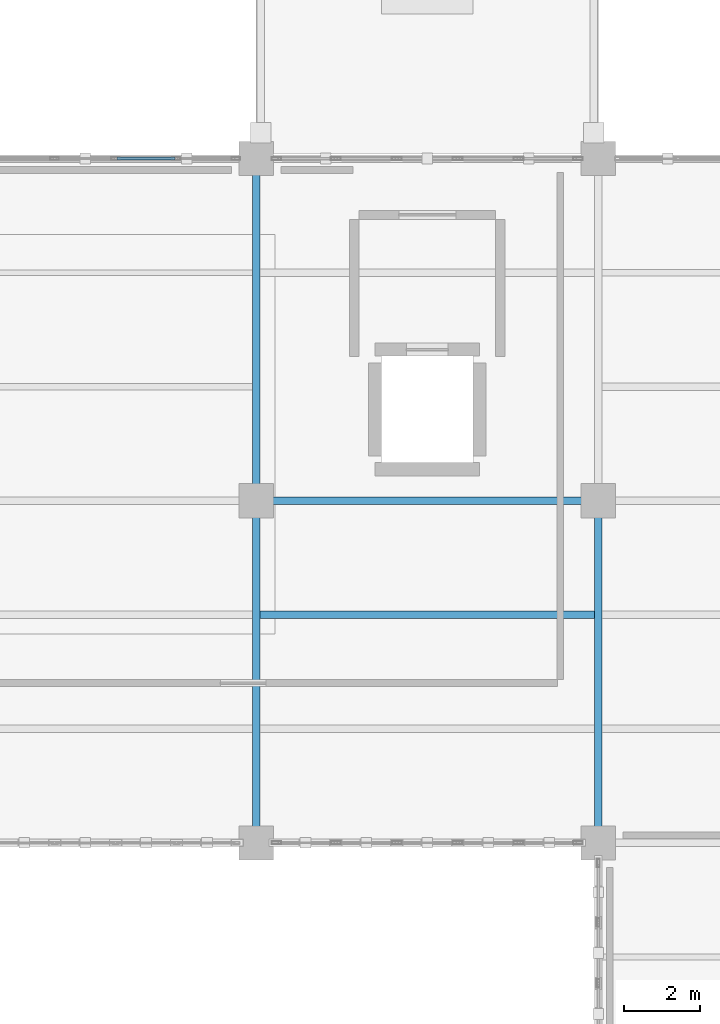
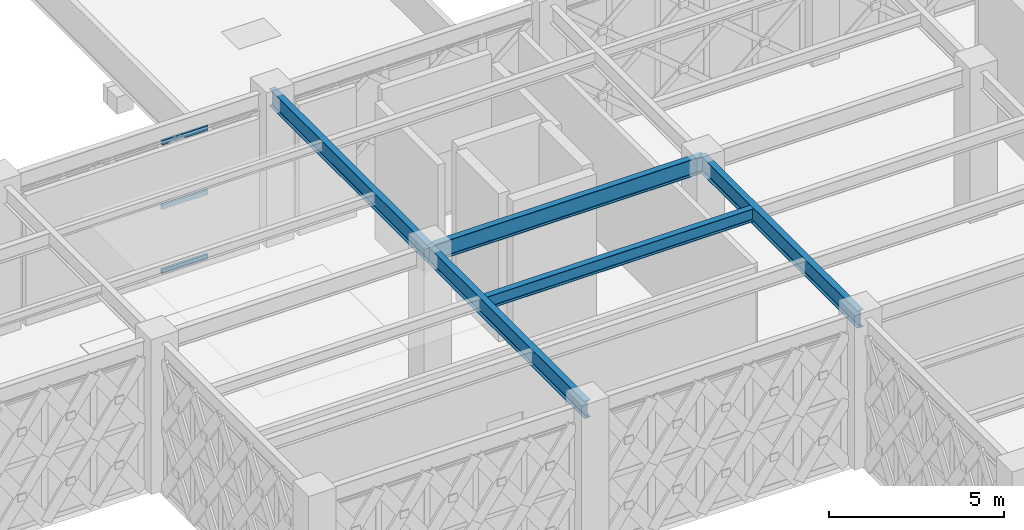
# One storey, part 23 of 155: 5 beams, 3 members, 1 element without a shape of its own.
"""IFC4 building model written with IfcOpenShell, lengths in metres."""

from ifc_helpers import new_model, si_unit, direction, frame, origin, origin_2d, place, context, subcontext, project, spatial, hollow_rectangle, i_section, extrude, material, material_profile, profile_set, type_object, element, aggregate, save


model = new_model("IFC4")

# Units and contexts
model_context = context("Model", 3, precision=1e-05, world=origin(), true_north=direction((0.0, 1.0)))
body_context = subcontext(model_context, "Body", "Model", "MODEL_VIEW")
ifc_project = project(units=[si_unit("LENGTHUNIT", "METRE"), si_unit("AREAUNIT", "SQUARE_METRE"), si_unit("VOLUMEUNIT", "CUBIC_METRE"), si_unit("PLANEANGLEUNIT", "RADIAN"), si_unit("MASSUNIT", "GRAM", prefix="KILO")], contexts=[model_context])

# Site, building, storey
site_placement = place(None, origin())
site = spatial("IfcSite", under=ifc_project, at=site_placement, CompositionType="ELEMENT")
building_placement = place(site_placement, origin())
building = spatial("IfcBuilding", under=site, at=building_placement, Name="Haizhuo Lancet Aquarium", CompositionType="ELEMENT")
storey_placement = place(building_placement, frame((0.0, 0.0, 10.800048828125)))
storey = spatial("IfcBuildingStorey", under=building, at=storey_placement, Name="L02", CompositionType="ELEMENT", Elevation=10.800048828125)

# Beams
ifc_material_1 = material(Name="Steel S355", Category="steel")
ifc_material_profile_1 = material_profile(ifc_material_1, i_section(OverallWidth=0.199951171875, OverallDepth=0.60009765625, WebThickness=0.010986328125, FlangeThickness=0.01708984375, FilletRadius=0.02197265625, at=origin_2d()), Name="HN 600x200x11x17")
ifc_profile_set_1 = profile_set([ifc_material_profile_1], Name="Steel S355")
beam_type_1 = type_object("IfcBeamType", Name="BM-ST-HN600", PredefinedType="BEAM", material=ifc_profile_set_1)
for number, where, z_axis, x_axis, name in (
    (1, (-63.0, -27.0, 4.85986328125), (0.0, 1.0, 0.0), (-1.0, 0.0, 0.0), "L02 V6 primary girder BM-L02-V6-009"),
    (2, (-63.0, -18.0, 4.85986328125), (0.0, 1.0, 0.0), (-1.0, 0.0, 0.0), "L02 V6 primary girder BM-L02-V6-011"),
    (3, (-63.0, -18.0, 4.85986328125), (1.0, 0.0, 0.0), (0.0, 1.0, 0.0), "L02 V6 primary girder BM-L02-V6-012"),
    (4, (-54.0, -27.0, 4.85986328125), (0.0, 1.0, 0.0), (-1.0, 0.0, 0.0), "L02 V6 primary girder BM-L02-V6-016"),
):
    element("IfcBeam", number, at=place(storey_placement, frame(where, z_axis=z_axis, x_axis=x_axis)), inside=storey, type_object=beam_type_1, Name=name, PredefinedType="BEAM", context=body_context, shape_type="SweptSolid", body=[
        extrude(i_section(OverallWidth=0.199951171875, OverallDepth=0.60009765625, WebThickness=0.010986328125, FlangeThickness=0.01708984375, FilletRadius=0.02197265625, at=origin_2d()), origin(), (0.0, 0.0, 1.0), 9.0),
    ])

# Curtain wall, members
ifc_material_2 = material(Name="Aluminium 6063-T6", Category="aluminium")
curtain_wall_type = type_object("IfcCurtainWallType", Name="CWO-8010x4560", PredefinedType="NOTDEFINED", material=ifc_material_2)
curtain_wall_placement = place(storey_placement, origin())
curtain_wall = element("IfcCurtainWall", 5, at=curtain_wall_placement, inside=storey, type_object=curtain_wall_type, Name="L02 curtain wall CW-V6-L02-215", PredefinedType="NOTDEFINED")
ifc_material_profile_2 = material_profile(ifc_material_2, hollow_rectangle(XDim=0.074951171875, YDim=0.159912109375, WallThickness=0.00390625, at=origin_2d()), Name="ALU-T 75x160x4")
ifc_profile_set_2 = profile_set([ifc_material_profile_2], Name="Aluminium 6063-T6")
member_type = type_object("IfcMemberType", Name="CW-TRN-2", PredefinedType="NOTDEFINED", material=ifc_profile_set_2)
member_1_placement = place(storey_placement, frame((-66.660888671875, -9.0, 0.037841796875), z_axis=(1.0, 0.0, 0.0), x_axis=(0.0, 1.0, 0.0)))
member_1 = element("IfcMember", 6, at=member_1_placement, type_object=member_type, Name="CWO-80x45 transom 4.1", ObjectType="TRANSOM", PredefinedType="USERDEFINED", context=body_context, shape_type="SweptSolid", body=[
    extrude(hollow_rectangle(XDim=0.074951171875, YDim=0.159912109375, WallThickness=0.00390625, at=origin_2d()), origin(), (0.0, 0.0, 1.0), 1.52587890625),
])
member_2_placement = place(storey_placement, frame((-66.660888671875, -9.0, 2.280029296875), z_axis=(1.0, 0.0, 0.0), x_axis=(0.0, 1.0, 0.0)))
member_2 = element("IfcMember", 7, at=member_2_placement, type_object=member_type, Name="CWO-80x45 transom 4.2", ObjectType="TRANSOM", PredefinedType="USERDEFINED", context=body_context, shape_type="SweptSolid", body=[
    extrude(hollow_rectangle(XDim=0.074951171875, YDim=0.159912109375, WallThickness=0.00390625, at=origin_2d()), origin(), (0.0, 0.0, 1.0), 1.52587890625),
])
member_3_placement = place(storey_placement, frame((-66.660888671875, -9.0, 4.52197265625), z_axis=(1.0, 0.0, 0.0), x_axis=(0.0, 1.0, 0.0)))
member_3 = element("IfcMember", 8, at=member_3_placement, type_object=member_type, Name="CWO-80x45 transom 4.3", ObjectType="TRANSOM", PredefinedType="USERDEFINED", context=body_context, shape_type="SweptSolid", body=[
    extrude(hollow_rectangle(XDim=0.074951171875, YDim=0.159912109375, WallThickness=0.00390625, at=origin_2d()), origin(), (0.0, 0.0, 1.0), 1.52587890625),
])
aggregate(curtain_wall, [member_1, member_2, member_3])

# Beam
ifc_material_profile_3 = material_profile(ifc_material_1, i_section(OverallWidth=0.199951171875, OverallDepth=0.449951171875, WebThickness=0.009033203125, FlangeThickness=0.013916015625, FilletRadius=0.01806640625, at=origin_2d()), Name="HN 450x200x9x14")
ifc_profile_set_3 = profile_set([ifc_material_profile_3], Name="Steel S355")
beam_type_2 = type_object("IfcBeamType", Name="JST-ST-HN450", PredefinedType="JOIST", material=ifc_profile_set_3)
beam_placement = place(storey_placement, frame((-62.89990234375, -21.0, 4.93505859375), z_axis=(1.0, 0.0, 0.0), x_axis=(0.0, 1.0, 0.0)))
element("IfcBeam", 9, at=beam_placement, inside=storey, type_object=beam_type_2, Name="L02 V6 secondary floor joist 8", PredefinedType="JOIST", context=body_context, shape_type="SweptSolid", body=[
    extrude(i_section(OverallWidth=0.199951171875, OverallDepth=0.449951171875, WebThickness=0.009033203125, FlangeThickness=0.013916015625, FilletRadius=0.01806640625, at=origin_2d()), origin(), (0.0, 0.0, 1.0), 8.7998046875),
])

save(model, "model.ifc")
